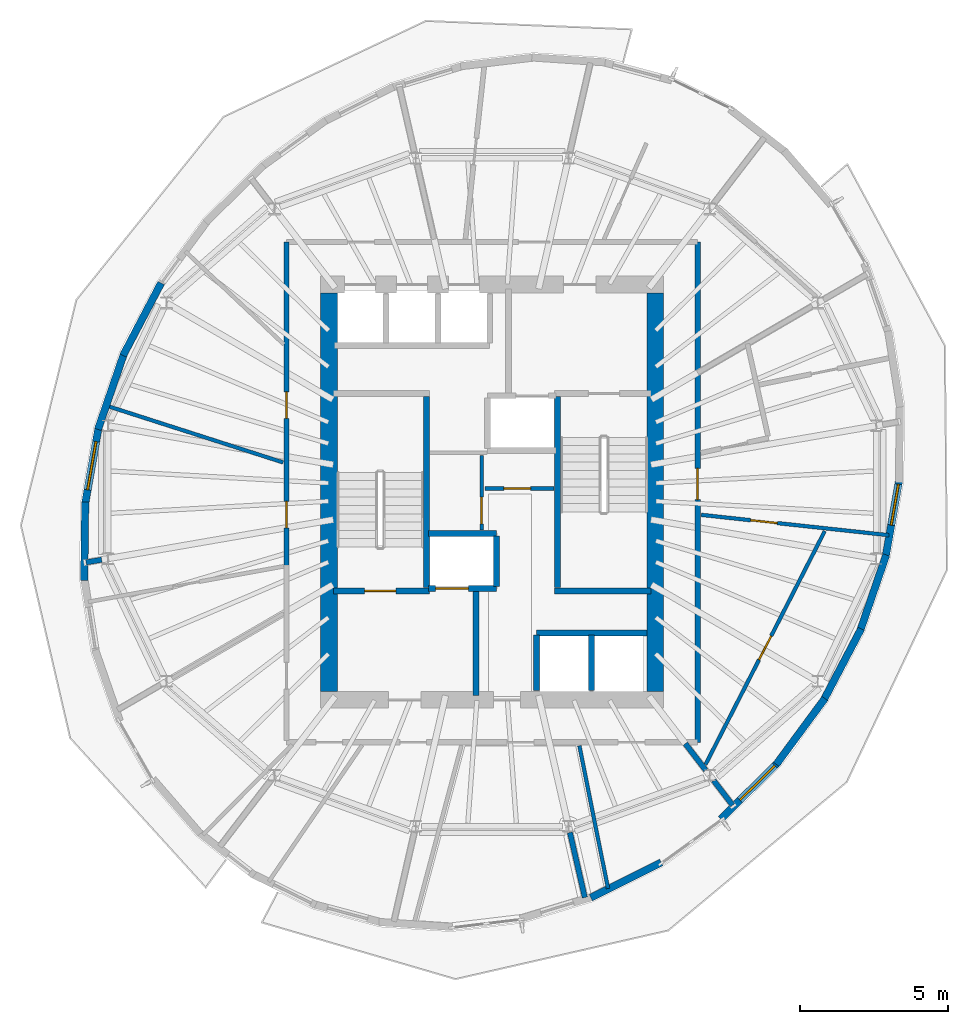
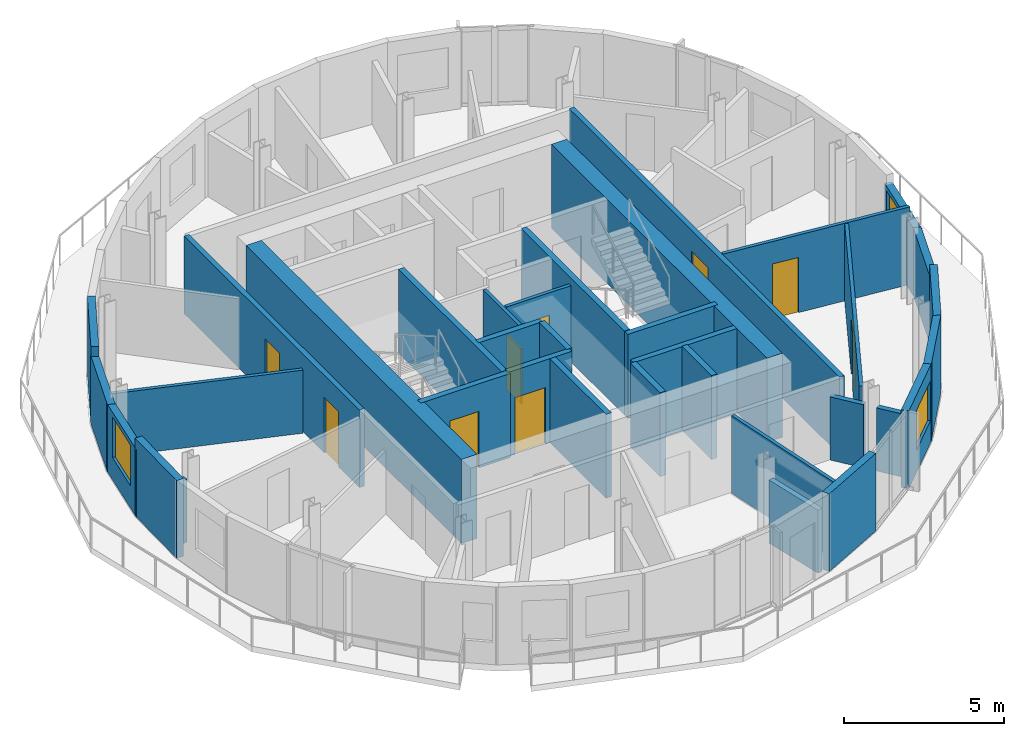
# One storey, part 5 of 9: 35 walls, 9 doors, 3 windows, 12 openings.
"""IFC4 building model written with IfcOpenShell, lengths in metres."""

from ifc_helpers import new_model, si_unit, direction, frame, frame_2d, origin, place, context, subcontext, project, spatial, rectangle, extrude, material, layer, layer_set, type_object, element, fill, save


model = new_model("IFC4")

# Units and contexts
model_context = context("Model", 3, precision=1e-05, world=origin(), true_north=direction((0.0, 1.0)))
body_context = subcontext(model_context, "Body", "Model", "MODEL_VIEW")
ifc_project = project(units=[si_unit("LENGTHUNIT", "METRE"), si_unit("AREAUNIT", "SQUARE_METRE"), si_unit("VOLUMEUNIT", "CUBIC_METRE"), si_unit("PLANEANGLEUNIT", "RADIAN"), si_unit("MASSUNIT", "GRAM", prefix="KILO")], contexts=[model_context])

# Site, building, storey
site_placement = place(None, origin())
site = spatial("IfcSite", under=ifc_project, at=site_placement, CompositionType="ELEMENT")
building_placement = place(site_placement, origin())
building = spatial("IfcBuilding", under=site, at=building_placement, Name="Veldorim Arch Residences", CompositionType="ELEMENT")
storey_placement = place(building_placement, frame((0.0, 0.0, 233.43994140625)))
storey = spatial("IfcBuildingStorey", under=building, at=storey_placement, Name="L70", CompositionType="ELEMENT", Elevation=233.43994140625)

# Wall, opening, door
ifc_material_1 = material(Name="Acoustic Gypsum Board", Category="gypsum")
ifc_layer_1 = layer(ifc_material_1, 0.125, Name="Acoustic Stud Room Partition Wall 125")
ifc_layer_set_1 = layer_set([ifc_layer_1], Name="Acoustic Gypsum Board")
wall_type_1 = type_object("IfcWallType", Name="Acoustic Stud Room Partition Wall 125", PredefinedType="PARTITIONING", material=ifc_layer_set_1)
wall_1_placement = place(storey_placement, frame((31.64990234375, 22.719970703125, 0.0), z_axis=(0.0, 0.0, 1.0), x_axis=(0.0, 1.0, 0.0)))
wall_1 = element("IfcWall", 1, at=wall_1_placement, inside=storey, type_object=wall_type_1, Name="L70 interior wall WL-CA-L70-1", PredefinedType="PARTITIONING", context=body_context, shape_type="SweptSolid", body=[
    extrude(rectangle(XDim=2.52001953125, YDim=0.125, at=frame_2d((1.260009765625, 0.0))), origin(), (0.0, 0.0, 1.0), 2.955078125),
])
opening_1_placement = place(wall_1_placement, frame((0.2099609375, 0.0, 0.0)))
opening_1 = element("IfcOpeningElement", 2, at=opening_1_placement, cuts=wall_1, Name="Opening DR-SVC", PredefinedType="OPENING", context=body_context, shape_type="SweptSolid", body=[
    extrude(rectangle(XDim=0.89990234375, YDim=2.10009765625, at=frame_2d((0.449951171875, 1.050048828125))), frame((0.0, 0.072509765625, 0.0), z_axis=(0.0, -1.0, 0.0), x_axis=(1.0, 0.0, 0.0)), (0.0, 0.0, 1.0), 0.14501953125),
])
ifc_material_2 = material(Name="Fire-Rated Steel", Category="steel")
door_type_1 = type_object("IfcDoorType", Name="Riser, Shelter & Plant Room Rated Steel Door 900x2100", OperationType="SINGLE_SWING_LEFT", PredefinedType="DOOR", material=ifc_material_2)
door_1_placement = place(opening_1_placement, origin())
door_1 = element("IfcDoor", 3, at=door_1_placement, inside=storey, type_object=door_type_1, Name="L70 interior door DR-L70-CA1", OperationType="SINGLE_SWING_LEFT", OverallHeight=2.10009765625, OverallWidth=0.89990234375, PredefinedType="DOOR", context=body_context, shape_type="SweptSolid", body=[
    extrude(rectangle(XDim=0.89990234375, YDim=2.10009765625, at=frame_2d((0.449951171875, 1.050048828125))), frame((0.0, 0.02490234375, 0.0), z_axis=(0.0, -1.0, 0.0), x_axis=(1.0, 0.0, 0.0)), (0.0, 0.0, 1.0), 0.050048828125),
])
fill(opening_1, door_1)

wall_2_placement = place(storey_placement, frame((31.760009765625, 24.1201171875, 0.0), z_axis=(0.0, 0.0, 1.0), x_axis=(1.0, 0.0, 0.0)))
wall_2 = element("IfcWall", 4, at=wall_2_placement, inside=storey, type_object=wall_type_1, Name="L70 interior wall WL-CA-L70-2", PredefinedType="PARTITIONING", context=body_context, shape_type="SweptSolid", body=[
    extrude(rectangle(XDim=2.320068359375, YDim=0.125, at=frame_2d((1.16015625, 0.0))), origin(), (0.0, 0.0, 1.0), 2.955078125),
])
opening_2_placement = place(wall_2_placement, frame((0.639892578125, 0.0, 0.0)))
opening_2 = element("IfcOpeningElement", 5, at=opening_2_placement, cuts=wall_2, Name="Opening DR-SVC", PredefinedType="OPENING", context=body_context, shape_type="SweptSolid", body=[
    extrude(rectangle(XDim=0.89990234375, YDim=2.10009765625, at=frame_2d((0.449951171875, 1.050048828125))), frame((0.0, 0.072509765625, 0.0), z_axis=(0.0, -1.0, 0.0), x_axis=(1.0, 0.0, 0.0)), (0.0, 0.0, 1.0), 0.14501953125),
])
door_2_placement = place(opening_2_placement, origin())
door_2 = element("IfcDoor", 6, at=door_2_placement, inside=storey, type_object=door_type_1, Name="L70 interior door DR-L70-CA2", OperationType="SINGLE_SWING_RIGHT", OverallHeight=2.10009765625, OverallWidth=0.89990234375, PredefinedType="DOOR", context=body_context, shape_type="SweptSolid", body=[
    extrude(rectangle(XDim=0.89990234375, YDim=2.10009765625, at=frame_2d((0.449951171875, 1.050048828125))), frame((0.0, 0.02490234375, 0.0), z_axis=(0.0, -1.0, 0.0), x_axis=(1.0, 0.0, 0.0)), (0.0, 0.0, 1.0), 0.050048828125),
])
fill(opening_2, door_2)

# Wall
wall_3_placement = place(storey_placement, frame((35.907958984375, 10.637939453125, 0.0), z_axis=(0.0, 0.0, 1.0), x_axis=(-0.196928748325, 0.980417802818, 0.0)))
element("IfcWall", 7, at=wall_3_placement, inside=storey, type_object=wall_type_1, Name="L70 interior wall WL-RES-L70-006", PredefinedType="PARTITIONING", context=body_context, shape_type="SweptSolid", body=[
    extrude(rectangle(XDim=4.91064453125, YDim=0.125, at=frame_2d((2.455322265625, 0.0))), origin(), (0.0, 0.0, 1.0), 2.955078125),
])

# Wall, opening, door
wall_4_placement = place(storey_placement, frame((45.379150390625, 22.548583984375, 0.0), z_axis=(0.0, 0.0, 1.0), x_axis=(-0.994165666964, 0.107863926454, 0.0)))
wall_4 = element("IfcWall", 8, at=wall_4_placement, inside=storey, type_object=wall_type_1, Name="L70 interior wall WL-RES-L70-013", PredefinedType="PARTITIONING", context=body_context, shape_type="SweptSolid", body=[
    extrude(rectangle(XDim=6.366943359375, YDim=0.125, at=frame_2d((3.18359375, 0.0))), origin(), (0.0, 0.0, 1.0), 2.955078125),
])
opening_3_placement = place(wall_4_placement, frame((3.78955078125, 0.0, 0.0)))
opening_3 = element("IfcOpeningElement", 9, at=opening_3_placement, cuts=wall_4, Name="Opening DR-INT", PredefinedType="OPENING", context=body_context, shape_type="SweptSolid", body=[
    extrude(rectangle(XDim=0.89990234375, YDim=2.10009765625, at=frame_2d((0.449951171875, 1.050048828125))), frame((0.0, 0.072509765625, 0.0), z_axis=(0.0, -1.0, 0.0), x_axis=(1.0, 0.0, 0.0)), (0.0, 0.0, 1.0), 0.14501953125),
])
ifc_material_3 = material(Name="Engineered Timber", Category="wood")
door_type_2 = type_object("IfcDoorType", Name="Apartment Internal Room Timber Door 900x2100", OperationType="SINGLE_SWING_LEFT", PredefinedType="DOOR", material=ifc_material_3)
door_3_placement = place(opening_3_placement, origin())
door_3 = element("IfcDoor", 10, at=door_3_placement, inside=storey, type_object=door_type_2, Name="L70 interior door DR-RES-L70-008", OperationType="SINGLE_SWING_RIGHT", OverallHeight=2.10009765625, OverallWidth=0.89990234375, PredefinedType="DOOR", context=body_context, shape_type="SweptSolid", body=[
    extrude(rectangle(XDim=0.89990234375, YDim=2.10009765625, at=frame_2d((0.449951171875, 1.050048828125))), frame((0.0, 0.02490234375, 0.0), z_axis=(0.0, -1.0, 0.0), x_axis=(1.0, 0.0, 0.0)), (0.0, 0.0, 1.0), 0.050048828125),
])
fill(opening_3, door_3)

wall_5_placement = place(storey_placement, frame((43.213623046875, 22.689453125, 0.0), z_axis=(0.0, 0.0, 1.0), x_axis=(-0.45492955231, -0.890527429356, 0.0)))
wall_5 = element("IfcWall", 11, at=wall_5_placement, inside=storey, type_object=wall_type_1, Name="L70 interior wall WL-RES-L70-017", PredefinedType="PARTITIONING", context=body_context, shape_type="SweptSolid", body=[
    extrude(rectangle(XDim=8.84033203125, YDim=0.125, at=frame_2d((4.420166015625, 0.0))), origin(), (0.0, 0.0, 1.0), 2.955078125),
])
opening_4_placement = place(wall_5_placement, frame((3.97021484375, 0.0, 0.0)))
opening_4 = element("IfcOpeningElement", 12, at=opening_4_placement, cuts=wall_5, Name="Opening DR-INT", PredefinedType="OPENING", context=body_context, shape_type="SweptSolid", body=[
    extrude(rectangle(XDim=0.89990234375, YDim=2.10009765625, at=frame_2d((0.449951171875, 1.050048828125))), frame((0.0, 0.072509765625, 0.0), z_axis=(0.0, -1.0, 0.0), x_axis=(1.0, 0.0, 0.0)), (0.0, 0.0, 1.0), 0.14501953125),
])
door_4_placement = place(opening_4_placement, origin())
door_4 = element("IfcDoor", 13, at=door_4_placement, inside=storey, type_object=door_type_2, Name="L70 interior door DR-RES-L70-009", OperationType="SINGLE_SWING_LEFT", OverallHeight=2.10009765625, OverallWidth=0.89990234375, PredefinedType="DOOR", context=body_context, shape_type="SweptSolid", body=[
    extrude(rectangle(XDim=0.89990234375, YDim=2.10009765625, at=frame_2d((0.449951171875, 1.050048828125))), frame((0.0, 0.02490234375, 0.0), z_axis=(0.0, -1.0, 0.0), x_axis=(1.0, 0.0, 0.0)), (0.0, 0.0, 1.0), 0.050048828125),
])
fill(opening_4, door_4)

# Walls
wall_6_placement = place(storey_placement, frame((19.003173828125, 26.9130859375, 0.0), z_axis=(0.0, 0.0, 1.0), x_axis=(0.952120342667, -0.305723491212, 0.0)))
element("IfcWall", 14, at=wall_6_placement, inside=storey, type_object=wall_type_1, Name="L70 interior wall WL-RES-L70-022", PredefinedType="PARTITIONING", context=body_context, shape_type="SweptSolid", body=[
    extrude(rectangle(XDim=6.251953125, YDim=0.125, at=frame_2d((3.1259765625, 0.0))), origin(), (0.0, 0.0, 1.0), 2.403564453125),
])
ifc_material_4 = material(Name="Lightweight Masonry Block & Gypsum", Category="masonry")
ifc_layer_2 = layer(ifc_material_4, 0.179931640625, Name="Compartment & Corridor Fire-Rated Party Wall 180")
ifc_layer_set_2 = layer_set([ifc_layer_2], Name="Lightweight Masonry Block & Gypsum")
wall_type_2 = type_object("IfcWallType", Name="Compartment & Corridor Fire-Rated Party Wall 180", PredefinedType="PARTITIONING", material=ifc_layer_set_2)
wall_7_placement = place(storey_placement, frame((18.83740234375, 21.722900390625, 0.0), z_axis=(0.0, 0.0, 1.0), x_axis=(-0.985396448878, -0.170275772023, 0.0)))
element("IfcWall", 15, at=wall_7_placement, inside=storey, type_object=wall_type_2, Name="L70 interior wall WL-PIER-L70-09", PredefinedType="PARTITIONING", context=body_context, shape_type="SweptSolid", body=[
    extrude(rectangle(XDim=0.531982421875, YDim=0.179931640625, at=frame_2d((0.26611328125, 0.0))), origin(), (0.0, 0.0, 1.0), 2.403564453125),
])
wall_8_placement = place(storey_placement, frame((34.6240234375, 12.526611328125, 0.0), z_axis=(0.0, 0.0, 1.0), x_axis=(0.223034234637, -0.974810612468, 0.0)))
element("IfcWall", 16, at=wall_8_placement, inside=storey, type_object=wall_type_2, Name="L70 interior wall WL-PIER-L70-13", PredefinedType="PARTITIONING", context=body_context, shape_type="SweptSolid", body=[
    extrude(rectangle(XDim=2.247314453125, YDim=0.179931640625, at=frame_2d((1.12353515625, 0.0))), origin(), (0.0, 0.0, 1.0), 2.403564453125),
])
wall_9_placement = place(storey_placement, frame((39.46728515625, 14.280517578125, 0.0), z_axis=(0.0, 0.0, 1.0), x_axis=(0.609328843401, -0.792917625356, 0.0)))
element("IfcWall", 17, at=wall_9_placement, inside=storey, type_object=wall_type_2, Name="L70 interior wall WL-PIER-L70-14", PredefinedType="PARTITIONING", context=body_context, shape_type="SweptSolid", body=[
    extrude(rectangle(XDim=1.050537109375, YDim=0.179931640625, at=frame_2d((0.525390625, 0.0))), origin(), (0.0, 0.0, 1.0), 2.403564453125),
])

# Wall, opening, door
wall_10_placement = place(storey_placement, frame((38.929931640625, 32.429931640625, 0.0), z_axis=(0.0, 0.0, 1.0), x_axis=(0.0, -1.0, 0.0)))
wall_10 = element("IfcWall", 18, at=wall_10_placement, inside=storey, type_object=wall_type_2, Name="L70 interior wall WL-RES-L70-003", PredefinedType="PARTITIONING", context=body_context, shape_type="SweptSolid", body=[
    extrude(rectangle(XDim=16.85986328125, YDim=0.179931640625, at=frame_2d((8.429931640625, 0.0))), origin(), (0.0, 0.0, 1.0), 2.955078125),
])
opening_5_placement = place(wall_10_placement, frame((7.632080078125, 0.0, 0.0)))
opening_5 = element("IfcOpeningElement", 19, at=opening_5_placement, cuts=wall_10, Name="Opening DR-FLT", PredefinedType="OPENING", context=body_context, shape_type="SweptSolid", body=[
    extrude(rectangle(XDim=1.050048828125, YDim=2.14990234375, at=frame_2d((0.52490234375, 1.074951171875))), frame((0.0, 0.099853515625, 0.0), z_axis=(0.0, -1.0, 0.0), x_axis=(1.0, 0.0, 0.0)), (0.0, 0.0, 1.0), 0.199951171875),
])
ifc_material_5 = material(Name="Fire-Rated Timber", Category="wood")
door_type_3 = type_object("IfcDoorType", Name="Apartment Entrance Solid-Core Fire Door 1050x2150", OperationType="SINGLE_SWING_LEFT", PredefinedType="DOOR", material=ifc_material_5)
door_5_placement = place(opening_5_placement, origin())
door_5 = element("IfcDoor", 20, at=door_5_placement, inside=storey, type_object=door_type_3, Name="L70 interior door DR-RES-L70-006", OperationType="SINGLE_SWING_RIGHT", OverallHeight=2.14990234375, OverallWidth=1.050048828125, PredefinedType="DOOR", context=body_context, shape_type="SweptSolid", body=[
    extrude(rectangle(XDim=1.050048828125, YDim=2.14990234375, at=frame_2d((0.52490234375, 1.074951171875))), frame((0.0, 0.02490234375, 0.0), z_axis=(0.0, -1.0, 0.0), x_axis=(1.0, 0.0, 0.0)), (0.0, 0.0, 1.0), 0.050048828125),
])
fill(opening_5, door_5)

# Wall, openings, doors
wall_11_placement = place(storey_placement, frame((25.070068359375, 21.498291015625, 0.0), z_axis=(0.0, 0.0, 1.0), x_axis=(0.0, 1.0, 0.0)))
wall_11 = element("IfcWall", 21, at=wall_11_placement, inside=storey, type_object=wall_type_2, Name="L70 interior wall WL-RES-L70-005", PredefinedType="PARTITIONING", context=body_context, shape_type="SweptSolid", body=[
    extrude(rectangle(XDim=10.931640625, YDim=0.179931640625, at=frame_2d((5.4658203125, 0.0))), origin(), (0.0, 0.0, 1.0), 2.955078125),
])
opening_6_placement = place(wall_11_placement, frame((1.2939453125, 0.0, 0.0)))
opening_6 = element("IfcOpeningElement", 22, at=opening_6_placement, cuts=wall_11, Name="Opening DR-SVC", PredefinedType="OPENING", context=body_context, shape_type="SweptSolid", body=[
    extrude(rectangle(XDim=0.89990234375, YDim=2.10009765625, at=frame_2d((0.449951171875, 1.050048828125))), frame((0.0, 0.099853515625, 0.0), z_axis=(0.0, -1.0, 0.0), x_axis=(1.0, 0.0, 0.0)), (0.0, 0.0, 1.0), 0.199951171875),
])
opening_7_placement = place(wall_11_placement, frame((4.985595703125, 0.0, 0.0)))
opening_7 = element("IfcOpeningElement", 23, at=opening_7_placement, cuts=wall_11, Name="Opening DR-INT", PredefinedType="OPENING", context=body_context, shape_type="SweptSolid", body=[
    extrude(rectangle(XDim=0.89990234375, YDim=2.10009765625, at=frame_2d((0.449951171875, 1.050048828125))), frame((0.0, 0.099853515625, 0.0), z_axis=(0.0, -1.0, 0.0), x_axis=(1.0, 0.0, 0.0)), (0.0, 0.0, 1.0), 0.199951171875),
])
door_6_placement = place(opening_7_placement, origin())
door_6 = element("IfcDoor", 24, at=door_6_placement, inside=storey, type_object=door_type_2, Name="L70 interior door DR-RES-L70-016", OperationType="SINGLE_SWING_RIGHT", OverallHeight=2.10009765625, OverallWidth=0.89990234375, PredefinedType="DOOR", context=body_context, shape_type="SweptSolid", body=[
    extrude(rectangle(XDim=0.89990234375, YDim=2.10009765625, at=frame_2d((0.449951171875, 1.050048828125))), frame((0.0, 0.02490234375, 0.0), z_axis=(0.0, -1.0, 0.0), x_axis=(1.0, 0.0, 0.0)), (0.0, 0.0, 1.0), 0.050048828125),
])
fill(opening_7, door_6)
door_7_placement = place(opening_6_placement, origin())
door_7 = element("IfcDoor", 25, at=door_7_placement, inside=storey, type_object=door_type_1, Name="L70 interior door DR-RES-L70-015", OperationType="SINGLE_SWING_LEFT", OverallHeight=2.10009765625, OverallWidth=0.89990234375, PredefinedType="DOOR", context=body_context, shape_type="SweptSolid", body=[
    extrude(rectangle(XDim=0.89990234375, YDim=2.10009765625, at=frame_2d((0.449951171875, 1.050048828125))), frame((0.0, 0.02490234375, 0.0), z_axis=(0.0, -1.0, 0.0), x_axis=(1.0, 0.0, 0.0)), (0.0, 0.0, 1.0), 0.050048828125),
])
fill(opening_6, door_7)

# Walls
wall_12_placement = place(storey_placement, frame((38.51318359375, 15.5224609375, 0.0), z_axis=(0.0, 0.0, 1.0), x_axis=(0.609249951785, -0.7929782445, 0.0)))
element("IfcWall", 26, at=wall_12_placement, inside=storey, type_object=wall_type_2, Name="L70 interior wall WL-RES-L70-007", PredefinedType="PARTITIONING", context=body_context, shape_type="SweptSolid", body=[
    extrude(rectangle(XDim=1.126953125, YDim=0.179931640625, at=frame_2d((0.5634765625, 0.0))), origin(), (0.0, 0.0, 1.0), 2.403564453125),
])
ifc_material_6 = material(Name="Concrete C50/60", Category="concrete")
ifc_layer_3 = layer(ifc_material_6, 0.199951171875, Name="Core Stair & Lift Shaft Enclosure Wall 200")
ifc_layer_set_3 = layer_set([ifc_layer_3], Name="Concrete C50/60")
wall_type_3 = type_object("IfcWallType", Name="Core Stair & Lift Shaft Enclosure Wall 200", PredefinedType="SHEAR", material=ifc_layer_set_3)
wall_13_placement = place(storey_placement, frame((29.7900390625, 20.780029296875, 0.0), z_axis=(0.0, 0.0, 1.0), x_axis=(0.0, 1.0, 0.0)))
element("IfcWall", 27, at=wall_13_placement, inside=storey, type_object=wall_type_3, Name="L70 shaft wall WL-SHF-L70-ST1-E", PredefinedType="SHEAR", context=body_context, shape_type="SweptSolid", body=[
    extrude(rectangle(XDim=6.43994140625, YDim=0.199951171875, at=frame_2d((3.219970703125, 0.0))), origin(), (0.0, 0.0, 1.0), 3.199951171875),
])

# Wall, opening, door
wall_14_placement = place(storey_placement, frame((26.64990234375, 20.669921875, 0.0), z_axis=(0.0, 0.0, 1.0), x_axis=(1.0, 0.0, 0.0)))
wall_14 = element("IfcWall", 28, at=wall_14_placement, inside=storey, type_object=wall_type_3, Name="L70 shaft wall WL-SHF-L70-ST1-S", PredefinedType="SHEAR", context=body_context, shape_type="SweptSolid", body=[
    extrude(rectangle(XDim=3.239990234375, YDim=0.199951171875, at=frame_2d((1.6201171875, 0.0))), origin(), (0.0, 0.0, 1.0), 3.199951171875),
])
opening_8_placement = place(wall_14_placement, frame((1.054931640625, 0.0, 0.0)))
opening_8 = element("IfcOpeningElement", 29, at=opening_8_placement, cuts=wall_14, Name="Opening DR-ST", PredefinedType="OPENING", context=body_context, shape_type="SweptSolid", body=[
    extrude(rectangle(XDim=1.050048828125, YDim=2.14990234375, at=frame_2d((0.52490234375, 1.074951171875))), frame((0.0, 0.10986328125, 0.0), z_axis=(0.0, -1.0, 0.0), x_axis=(1.0, 0.0, 0.0)), (0.0, 0.0, 1.0), 0.219970703125),
])
ifc_material_7 = material(Name="Fire-Rated Steel", Category="steel")
door_type_4 = type_object("IfcDoorType", Name="Exit Staircase Self-Closing Fire Door 1050x2150", OperationType="SINGLE_SWING_LEFT", PredefinedType="DOOR", material=ifc_material_7)
door_8_placement = place(opening_8_placement, origin())
door_8 = element("IfcDoor", 30, at=door_8_placement, inside=storey, type_object=door_type_4, Name="L70 interior door DR-L70-ST1", OperationType="SINGLE_SWING_LEFT", OverallHeight=2.14990234375, OverallWidth=1.050048828125, PredefinedType="DOOR", context=body_context, shape_type="SweptSolid", body=[
    extrude(rectangle(XDim=1.050048828125, YDim=2.14990234375, at=frame_2d((0.52490234375, 1.074951171875))), frame((0.0, 0.02490234375, 0.0), z_axis=(0.0, -1.0, 0.0), x_axis=(1.0, 0.0, 0.0)), (0.0, 0.0, 1.0), 0.050048828125),
])
fill(opening_8, door_8)

# Walls
wall_15_placement = place(storey_placement, frame((34.2099609375, 20.780029296875, 0.0), z_axis=(0.0, 0.0, 1.0), x_axis=(0.0, 1.0, 0.0)))
element("IfcWall", 31, at=wall_15_placement, inside=storey, type_object=wall_type_3, Name="L70 shaft wall WL-SHF-L70-ST2-W", PredefinedType="SHEAR", context=body_context, shape_type="SweptSolid", body=[
    extrude(rectangle(XDim=6.43994140625, YDim=0.199951171875, at=frame_2d((3.219970703125, 0.0))), origin(), (0.0, 0.0, 1.0), 3.199951171875),
])
wall_16_placement = place(storey_placement, frame((34.110107421875, 20.669921875, 0.0), z_axis=(0.0, 0.0, 1.0), x_axis=(1.0, 0.0, 0.0)))
element("IfcWall", 32, at=wall_16_placement, inside=storey, type_object=wall_type_3, Name="L70 shaft wall WL-SHF-L70-ST2-S", PredefinedType="SHEAR", context=body_context, shape_type="SweptSolid", body=[
    extrude(rectangle(XDim=3.239990234375, YDim=0.199951171875, at=frame_2d((1.6201171875, 0.0))), origin(), (0.0, 0.0, 1.0), 3.199951171875),
])
wall_17_placement = place(storey_placement, frame((31.449951171875, 17.14990234375, 0.0), z_axis=(0.0, 0.0, 1.0), x_axis=(0.0, 1.0, 0.0)))
element("IfcWall", 33, at=wall_17_placement, inside=storey, type_object=wall_type_3, Name="L70 shaft wall WL-FFL1-L70-E", PredefinedType="SHEAR", context=body_context, shape_type="SweptSolid", body=[
    extrude(rectangle(XDim=3.5, YDim=0.199951171875, at=frame_2d((1.75, 0.0))), origin(), (0.0, 0.0, 1.0), 3.199951171875),
])

# Wall, opening, door
wall_18_placement = place(storey_placement, frame((29.85009765625, 20.75, 0.0), z_axis=(0.0, 0.0, 1.0), x_axis=(1.0, 0.0, 0.0)))
wall_18 = element("IfcWall", 34, at=wall_18_placement, inside=storey, type_object=wall_type_3, Name="L70 shaft wall WL-FL01-L70-S", PredefinedType="SHEAR", context=body_context, shape_type="SweptSolid", body=[
    extrude(rectangle(XDim=2.2998046875, YDim=0.199951171875, at=frame_2d((1.14990234375, 0.0))), origin(), (0.0, 0.0, 1.0), 3.199951171875),
])
opening_9_placement = place(wall_18_placement, frame((0.25, 0.0, 0.0)))
opening_9 = element("IfcOpeningElement", 35, at=opening_9_placement, cuts=wall_18, Name="Opening LD-FF", PredefinedType="OPENING", context=body_context, shape_type="SweptSolid", body=[
    extrude(rectangle(XDim=1.10009765625, YDim=2.14990234375, at=frame_2d((0.550048828125, 1.074951171875))), frame((0.0, 0.10986328125, 0.0), z_axis=(0.0, -1.0, 0.0), x_axis=(1.0, 0.0, 0.0)), (0.0, 0.0, 1.0), 0.219970703125),
])
ifc_material_8 = material(Name="Stainless Steel", Category="steel")
door_type_5 = type_object("IfcDoorType", Name="Firefighting Lift Bi-Parting Sliding Landing Door 1100x2150", OperationType="DOUBLE_DOOR_SLIDING", PredefinedType="DOOR", material=ifc_material_8)
door_9_placement = place(opening_9_placement, origin())
door_9 = element("IfcDoor", 36, at=door_9_placement, inside=storey, type_object=door_type_5, Name="L70 lift landing door LD-L70-FL01", OperationType="DOUBLE_DOOR_SLIDING", OverallHeight=2.14990234375, OverallWidth=1.10009765625, PredefinedType="DOOR", context=body_context, shape_type="SweptSolid", body=[
    extrude(rectangle(XDim=1.10009765625, YDim=2.14990234375, at=frame_2d((0.550048828125, 1.074951171875))), frame((0.0, 0.02490234375, 0.0), z_axis=(0.0, -1.0, 0.0), x_axis=(1.0, 0.0, 0.0)), (0.0, 0.0, 1.0), 0.050048828125),
])
fill(opening_9, door_9)

# Walls
wall_19_placement = place(storey_placement, frame((29.85009765625, 22.60009765625, 0.0), z_axis=(0.0, 0.0, 1.0), x_axis=(1.0, 0.0, 0.0)))
element("IfcWall", 37, at=wall_19_placement, inside=storey, type_object=wall_type_3, Name="L70 shaft wall WL-FL01-L70-N", PredefinedType="SHEAR", context=body_context, shape_type="SweptSolid", body=[
    extrude(rectangle(XDim=2.2998046875, YDim=0.199951171875, at=frame_2d((1.14990234375, 0.0))), origin(), (0.0, 0.0, 1.0), 3.199951171875),
])
wall_20_placement = place(storey_placement, frame((32.14990234375, 20.820068359375, 0.0), z_axis=(0.0, 0.0, 1.0), x_axis=(0.0, 1.0, 0.0)))
element("IfcWall", 38, at=wall_20_placement, inside=storey, type_object=wall_type_3, Name="L70 shaft wall WL-FL01-L70-E", PredefinedType="SHEAR", context=body_context, shape_type="SweptSolid", body=[
    extrude(rectangle(XDim=1.7099609375, YDim=0.199951171875, at=frame_2d((0.85498046875, 0.0))), origin(), (0.0, 0.0, 1.0), 3.199951171875),
])
wall_21_placement = place(storey_placement, frame((33.5, 19.25, 0.0), z_axis=(0.0, 0.0, 1.0), x_axis=(1.0, 0.0, 0.0)))
element("IfcWall", 39, at=wall_21_placement, inside=storey, type_object=wall_type_3, Name="L70 shaft wall WL-OL-L70-N", PredefinedType="SHEAR", context=body_context, shape_type="SweptSolid", body=[
    extrude(rectangle(XDim=3.719970703125, YDim=0.199951171875, at=frame_2d((1.85986328125, 0.0))), origin(), (0.0, 0.0, 1.0), 3.199951171875),
])
for number, where, z_axis, x_axis, name in (
    (40, (33.5, 17.320068359375, 0.0), (0.0, 0.0, 1.0), (0.0, 1.0, 0.0), "L70 shaft wall WL-OL-L70-W"),
    (41, (35.35009765625, 17.320068359375, 0.0), (0.0, 0.0, 1.0), (0.0, 1.0, 0.0), "L70 shaft wall WL-OL-L70-D1"),
):
    element("IfcWall", number, at=place(storey_placement, frame(where, z_axis=z_axis, x_axis=x_axis)), inside=storey, type_object=wall_type_3, Name=name, PredefinedType="SHEAR", context=body_context, shape_type="SweptSolid", body=[
        extrude(rectangle(XDim=1.85986328125, YDim=0.199951171875, at=frame_2d((0.929931640625, 0.0))), origin(), (0.0, 0.0, 1.0), 3.199951171875),
    ])
ifc_material_9 = material(Name="Precast concrete C40/50", Category="concrete")
ifc_layer_4 = layer(ifc_material_9, 0.25, Name="Tower Terracotta Spandrel & Pier Wall 250")
ifc_layer_set_4 = layer_set([ifc_layer_4], Name="Precast concrete C40/50")
wall_type_4 = type_object("IfcWallType", Name="Tower Terracotta Spandrel & Pier Wall 250", PredefinedType="SOLIDWALL", material=ifc_layer_set_4)
wall_22_placement = place(storey_placement, frame((19.55908203125, 28.606201171875, 0.0), z_axis=(0.0, 0.0, 1.0), x_axis=(0.464691621097, 0.885472584151, 0.0)))
element("IfcWall", 42, at=wall_22_placement, inside=storey, type_object=wall_type_4, Name="L70 terracotta facade wall 10", PredefinedType="SOLIDWALL", context=body_context, shape_type="SweptSolid", body=[
    extrude(rectangle(XDim=2.7578125, YDim=0.25, at=frame_2d((1.37890625, 0.0))), origin(), (0.0, 0.0, 1.0), 2.9599609375),
])
wall_23_placement = place(storey_placement, frame((18.713623046875, 26.115478515625, 0.0), z_axis=(0.0, 0.0, 1.0), x_axis=(0.324399533492, 0.945920156604, 0.0)))
element("IfcWall", 43, at=wall_23_placement, inside=storey, type_object=wall_type_4, Name="L70 terracotta facade wall 11", PredefinedType="SOLIDWALL", context=body_context, shape_type="SweptSolid", body=[
    extrude(rectangle(XDim=2.73876953125, YDim=0.25, at=frame_2d((1.369384765625, 0.0))), origin(), (0.0, 0.0, 1.0), 2.5771484375),
])

# Wall, opening, window
wall_24_placement = place(storey_placement, frame((18.273193359375, 23.560546875, 0.0), z_axis=(0.0, 0.0, 1.0), x_axis=(0.173156320641, 0.984894354041, 0.0)))
wall_24 = element("IfcWall", 44, at=wall_24_placement, inside=storey, type_object=wall_type_4, Name="L70 terracotta facade wall 12", PredefinedType="SOLIDWALL", context=body_context, shape_type="SweptSolid", body=[
    extrude(rectangle(XDim=2.701416015625, YDim=0.25, at=frame_2d((1.3505859375, 0.0))), origin(), (0.0, 0.0, 1.0), 2.5771484375),
])
opening_10_placement = place(wall_24_placement, frame((0.52587890625, 0.0, 0.85009765625)))
opening_10 = element("IfcOpeningElement", 45, at=opening_10_placement, cuts=wall_24, Name="Opening WN-03", PredefinedType="OPENING", context=body_context, shape_type="SweptSolid", body=[
    extrude(rectangle(XDim=1.64990234375, YDim=1.550048828125, at=frame_2d((0.824951171875, 0.77490234375))), frame((0.0, 0.135009765625, 0.0), z_axis=(0.0, -1.0, 0.0), x_axis=(1.0, 0.0, 0.0)), (0.0, 0.0, 1.0), 0.27001953125),
])
ifc_material_10 = material(Name="Laminated Low-E Glass", Category="glass")
window_type_1 = type_object("IfcWindowType", Name="Residential Wide Window 1650x1550", PartitioningType="SINGLE_PANEL", PredefinedType="WINDOW", material=ifc_material_10)
window_1_placement = place(opening_10_placement, origin())
window_1 = element("IfcWindow", 46, at=window_1_placement, inside=storey, type_object=window_type_1, Name="L70 solar-control facade window 12", OverallHeight=1.550048828125, OverallWidth=1.64990234375, PartitioningType="SINGLE_PANEL", PredefinedType="WINDOW", context=body_context, shape_type="SweptSolid", body=[
    extrude(rectangle(XDim=1.64990234375, YDim=1.550048828125, at=frame_2d((0.824951171875, 0.77490234375))), frame((0.0, 0.030029296875, 0.0), z_axis=(0.0, -1.0, 0.0), x_axis=(1.0, 0.0, 0.0)), (0.0, 0.0, 1.0), 0.06005859375),
])
fill(opening_10, window_1)

# Walls
wall_25_placement = place(storey_placement, frame((18.250732421875, 21.019287109375, 0.0), z_axis=(0.0, 0.0, 1.0), x_axis=(0.01234132771, 0.999923842915, 0.0)))
element("IfcWall", 47, at=wall_25_placement, inside=storey, type_object=wall_type_4, Name="L70 terracotta facade wall 13", PredefinedType="SOLIDWALL", context=body_context, shape_type="SweptSolid", body=[
    extrude(rectangle(XDim=2.65087890625, YDim=0.25, at=frame_2d((1.325439453125, 0.0))), origin(), (0.0, 0.0, 1.0), 2.9599609375),
])
wall_26_placement = place(storey_placement, frame((37.69873046875, 11.51904296875, 0.0), z_axis=(0.0, 0.0, 1.0), x_axis=(-0.893929345503, -0.448207904045, 0.0)))
element("IfcWall", 48, at=wall_26_placement, inside=storey, type_object=wall_type_4, Name="L70 terracotta facade wall 24", PredefinedType="SOLIDWALL", context=body_context, shape_type="SweptSolid", body=[
    extrude(rectangle(XDim=2.651123046875, YDim=0.25, at=frame_2d((1.32568359375, 0.0))), origin(), (0.0, 0.0, 1.0), 2.9599609375),
])

# Wall, opening, window
wall_27_placement = place(storey_placement, frame((41.652099609375, 14.90625, 0.0), z_axis=(0.0, 0.0, 1.0), x_axis=(-0.709065267838, -0.705142854991, 0.0)))
wall_27 = element("IfcWall", 49, at=wall_27_placement, inside=storey, type_object=wall_type_4, Name="L70 terracotta facade wall 26", PredefinedType="SOLIDWALL", context=body_context, shape_type="SweptSolid", body=[
    extrude(rectangle(XDim=2.73876953125, YDim=0.25, at=frame_2d((1.369384765625, 0.0))), origin(), (0.0, 0.0, 1.0), 2.9599609375),
])
opening_11_placement = place(wall_27_placement, frame((0.175048828125, 0.0, 0.85009765625)))
opening_11 = element("IfcOpeningElement", 50, at=opening_11_placement, cuts=wall_27, Name="Opening WN-03", PredefinedType="OPENING", context=body_context, shape_type="SweptSolid", body=[
    extrude(rectangle(XDim=1.64990234375, YDim=1.52001953125, at=frame_2d((0.824951171875, 0.760009765625))), frame((0.0, 0.135009765625, 0.0), z_axis=(0.0, -1.0, 0.0), x_axis=(1.0, 0.0, 0.0)), (0.0, 0.0, 1.0), 0.27001953125),
])
window_2_placement = place(opening_11_placement, origin())
window_2 = element("IfcWindow", 51, at=window_2_placement, inside=storey, type_object=window_type_1, Name="L70 solar-control facade window 26", OverallHeight=1.52001953125, OverallWidth=1.64990234375, PartitioningType="SINGLE_PANEL", PredefinedType="WINDOW", context=body_context, shape_type="SweptSolid", body=[
    extrude(rectangle(XDim=1.64990234375, YDim=1.52001953125, at=frame_2d((0.824951171875, 0.760009765625))), frame((0.0, 0.030029296875, 0.0), z_axis=(0.0, -1.0, 0.0), x_axis=(1.0, 0.0, 0.0)), (0.0, 0.0, 1.0), 0.06005859375),
])
fill(opening_11, window_2)

# Walls
wall_28_placement = place(storey_placement, frame((43.21728515625, 17.0439453125, 0.0), z_axis=(0.0, 0.0, 1.0), x_axis=(-0.59332282632, -0.804964610258, 0.0)))
element("IfcWall", 52, at=wall_28_placement, inside=storey, type_object=wall_type_4, Name="L70 terracotta facade wall 27", PredefinedType="SOLIDWALL", context=body_context, shape_type="SweptSolid", body=[
    extrude(rectangle(XDim=2.758056640625, YDim=0.25, at=frame_2d((1.37890625, 0.0))), origin(), (0.0, 0.0, 1.0), 2.9599609375),
])
wall_29_placement = place(storey_placement, frame((44.44091796875, 19.393798828125, 0.0), z_axis=(0.0, 0.0, 1.0), x_axis=(-0.464691621097, -0.885472584151, 0.0)))
element("IfcWall", 53, at=wall_29_placement, inside=storey, type_object=wall_type_4, Name="L70 terracotta facade wall 28", PredefinedType="SOLIDWALL", context=body_context, shape_type="SweptSolid", body=[
    extrude(rectangle(XDim=2.7578125, YDim=0.25, at=frame_2d((1.37890625, 0.0))), origin(), (0.0, 0.0, 1.0), 2.9599609375),
])
wall_30_placement = place(storey_placement, frame((45.286376953125, 21.884521484375, 0.0), z_axis=(0.0, 0.0, 1.0), x_axis=(-0.324399533492, -0.945920156604, 0.0)))
element("IfcWall", 54, at=wall_30_placement, inside=storey, type_object=wall_type_4, Name="L70 terracotta facade wall 29", PredefinedType="SOLIDWALL", context=body_context, shape_type="SweptSolid", body=[
    extrude(rectangle(XDim=2.73876953125, YDim=0.25, at=frame_2d((1.369384765625, 0.0))), origin(), (0.0, 0.0, 1.0), 2.5771484375),
])

# Wall, opening, window
wall_31_placement = place(storey_placement, frame((45.726806640625, 24.439453125, 0.0), z_axis=(0.0, 0.0, 1.0), x_axis=(-0.173156320641, -0.984894354041, 0.0)))
wall_31 = element("IfcWall", 55, at=wall_31_placement, inside=storey, type_object=wall_type_4, Name="L70 terracotta facade wall 30", PredefinedType="SOLIDWALL", context=body_context, shape_type="SweptSolid", body=[
    extrude(rectangle(XDim=2.701416015625, YDim=0.25, at=frame_2d((1.3505859375, 0.0))), origin(), (0.0, 0.0, 1.0), 2.5771484375),
])
opening_12_placement = place(wall_31_placement, frame((0.175048828125, 0.0, 0.85009765625)))
opening_12 = element("IfcOpeningElement", 56, at=opening_12_placement, cuts=wall_31, Name="Opening WN-02", PredefinedType="OPENING", context=body_context, shape_type="SweptSolid", body=[
    extrude(rectangle(XDim=1.39990234375, YDim=1.550048828125, at=frame_2d((0.699951171875, 0.77490234375))), frame((0.0, 0.135009765625, 0.0), z_axis=(0.0, -1.0, 0.0), x_axis=(1.0, 0.0, 0.0)), (0.0, 0.0, 1.0), 0.27001953125),
])
ifc_material_11 = material(Name="Laminated Low-E Glass", Category="glass")
window_type_2 = type_object("IfcWindowType", Name="Residential Casement Window 1400x1550", PartitioningType="SINGLE_PANEL", PredefinedType="WINDOW", material=ifc_material_11)
window_3_placement = place(opening_12_placement, origin())
window_3 = element("IfcWindow", 57, at=window_3_placement, inside=storey, type_object=window_type_2, Name="L70 solar-control facade window 30", OverallHeight=1.550048828125, OverallWidth=1.39990234375, PartitioningType="SINGLE_PANEL", PredefinedType="WINDOW", context=body_context, shape_type="SweptSolid", body=[
    extrude(rectangle(XDim=1.39990234375, YDim=1.550048828125, at=frame_2d((0.699951171875, 0.77490234375))), frame((0.0, 0.030029296875, 0.0), z_axis=(0.0, -1.0, 0.0), x_axis=(1.0, 0.0, 0.0)), (0.0, 0.0, 1.0), 0.06005859375),
])
fill(opening_12, window_3)

# Walls
ifc_material_12 = material(Name="Concrete C50/60", Category="concrete")
ifc_layer_5 = layer(ifc_material_12, 0.5, Name="Upper Central Core Shear Wall 560")
ifc_layer_set_5 = layer_set([ifc_layer_5], Name="Concrete C50/60")
wall_type_5 = type_object("IfcWallType", Name="Upper Central Core Shear Wall 560", PredefinedType="SHEAR", material=ifc_layer_set_5)
for number, where, z_axis, x_axis, name in (
    (58, (26.5, 17.280029296875, 0.0), (0.0, 0.0, 1.0), (0.0, 1.0, 0.0), "L70 central core west shear wall"),
    (59, (37.5, 17.280029296875, 0.0), (0.0, 0.0, 1.0), (0.0, 1.0, 0.0), "L70 central core east shear wall"),
):
    element("IfcWall", number, at=place(storey_placement, frame(where, z_axis=z_axis, x_axis=x_axis)), inside=storey, type_object=wall_type_5, Name=name, PredefinedType="SHEAR", context=body_context, shape_type="SweptSolid", body=[
        extrude(rectangle(XDim=13.43994140625, YDim=0.56005859375, at=frame_2d((6.719970703125, 0.0))), origin(), (0.0, 0.0, 1.0), 3.199951171875),
    ])

save(model, "model.ifc")
